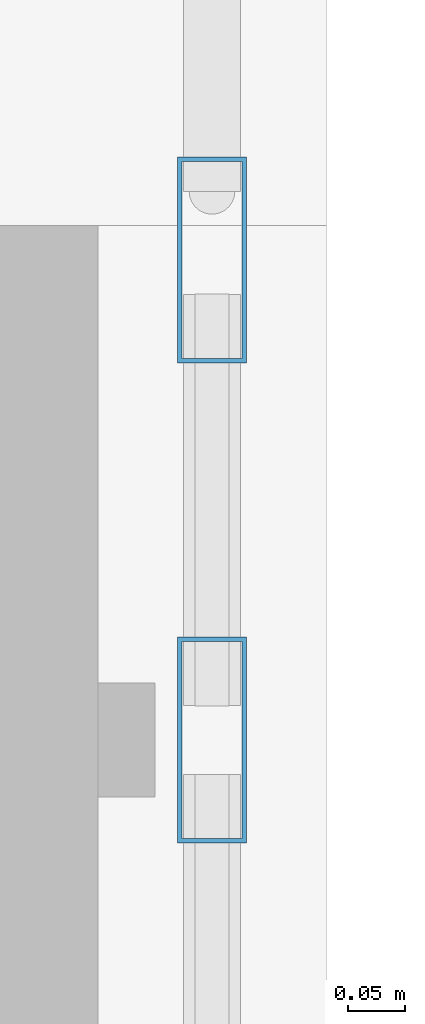
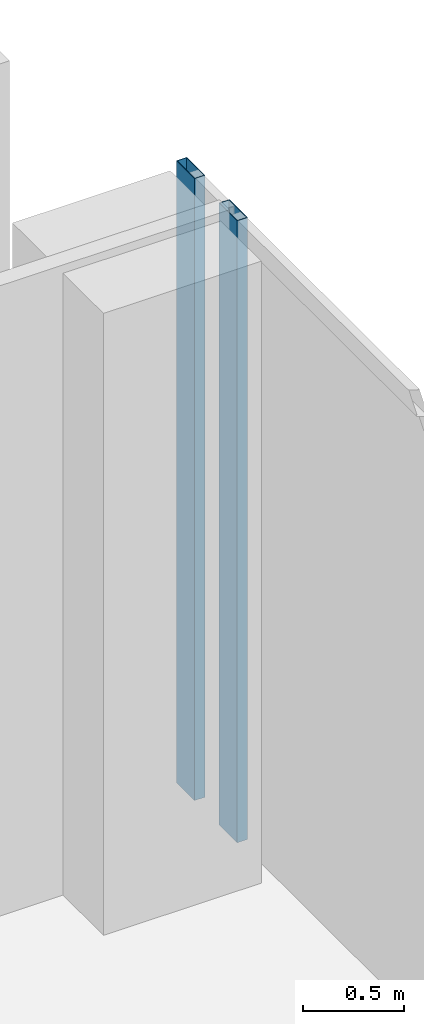
# One storey, part 13 of 34: 2 members, 1 element without a shape of its own.
"""IFC4 building model written with IfcOpenShell, lengths in metres."""

from ifc_helpers import new_model, si_unit, direction, frame, origin, origin_2d, place, context, subcontext, project, spatial, hollow_rectangle, extrude, source, transform, mapped, material, material_profile, profile_set, type_object, element, aggregate, save


model = new_model("IFC4")

# Units and contexts
model_context = context("Model", 3, precision=1e-05, world=origin(), true_north=direction((0.0, 1.0)))
body_context = subcontext(model_context, "Body", "Model", "MODEL_VIEW")
ifc_project = project(units=[si_unit("LENGTHUNIT", "METRE"), si_unit("AREAUNIT", "SQUARE_METRE"), si_unit("VOLUMEUNIT", "CUBIC_METRE"), si_unit("PLANEANGLEUNIT", "RADIAN"), si_unit("MASSUNIT", "GRAM", prefix="KILO")], contexts=[model_context])

# Site, building, storey
site_placement = place(None, origin())
site = spatial("IfcSite", under=ifc_project, at=site_placement, CompositionType="ELEMENT")
building_placement = place(site_placement, origin())
building = spatial("IfcBuilding", under=site, at=building_placement, Name="Khomas Fold Tower", CompositionType="ELEMENT")
storey_placement = place(building_placement, frame((0.0, 0.0, 254.199951171875)))
storey = spatial("IfcBuildingStorey", under=building, at=storey_placement, Name="L57", CompositionType="ELEMENT", Elevation=254.199951171875)

# Curtain wall, members
ifc_material_1 = material(Name="Aluminium framed double glazing", Category="aluminium")
curtain_wall_type = type_object("IfcCurtainWallType", Name="SK-Unitised clear-glass wall, office floors CW2", PredefinedType="NOTDEFINED", material=ifc_material_1)
curtain_wall_placement = place(storey_placement, origin())
curtain_wall = element("IfcCurtainWall", 1, at=curtain_wall_placement, inside=storey, type_object=curtain_wall_type, Name="CW2 run L57 03-0", PredefinedType="NOTDEFINED")
ifc_material_2 = material(Name="Aluminium", Category="aluminium")
ifc_material_profile = material_profile(ifc_material_2, hollow_rectangle(XDim=0.06005859375, YDim=0.179931640625, WallThickness=0.00390625, at=origin_2d()), Name="SK-Unitised clear-glass wall, office floors mullion CW2-M")
ifc_profile_set = profile_set([ifc_material_profile], Name="Aluminium")
member_type = type_object("IfcMemberType", Name="SK-Unitised clear-glass wall, office floors mullion CW2-M", PredefinedType="MULLION", material=ifc_profile_set)
shared_shape = source(origin(), body_context, "Body", "SweptSolid", [
    extrude(hollow_rectangle(XDim=0.06005859375, YDim=0.179931640625, WallThickness=0.00390625, at=origin_2d()), origin(), (0.0, 0.0, 1.0), 3.75),
])
member_1_placement = place(storey_placement, frame((49.39990234375, 34.5, 0.0), z_axis=(0.0, 0.0, 1.0), x_axis=(-1.0, 0.0, 0.0)))
member_1 = element("IfcMember", 2, at=member_1_placement, type_object=member_type, Name="CW2 mullion 5", PredefinedType="MULLION", context=body_context, shape_type="MappedRepresentation", body=[
    mapped(shared_shape, transform((0.0, 0.0, 0.0))),
])
member_2_placement = place(storey_placement, frame((49.39990234375, 34.919921875, 0.0), z_axis=(0.0, 0.0, 1.0), x_axis=(-1.0, 0.0, 0.0)))
member_2 = element("IfcMember", 3, at=member_2_placement, type_object=member_type, Name="CW2 mullion 6", PredefinedType="MULLION", context=body_context, shape_type="MappedRepresentation", body=[
    mapped(shared_shape, transform((0.0, 0.0, 0.0))),
])
aggregate(curtain_wall, [member_1, member_2])

save(model, "model.ifc")
